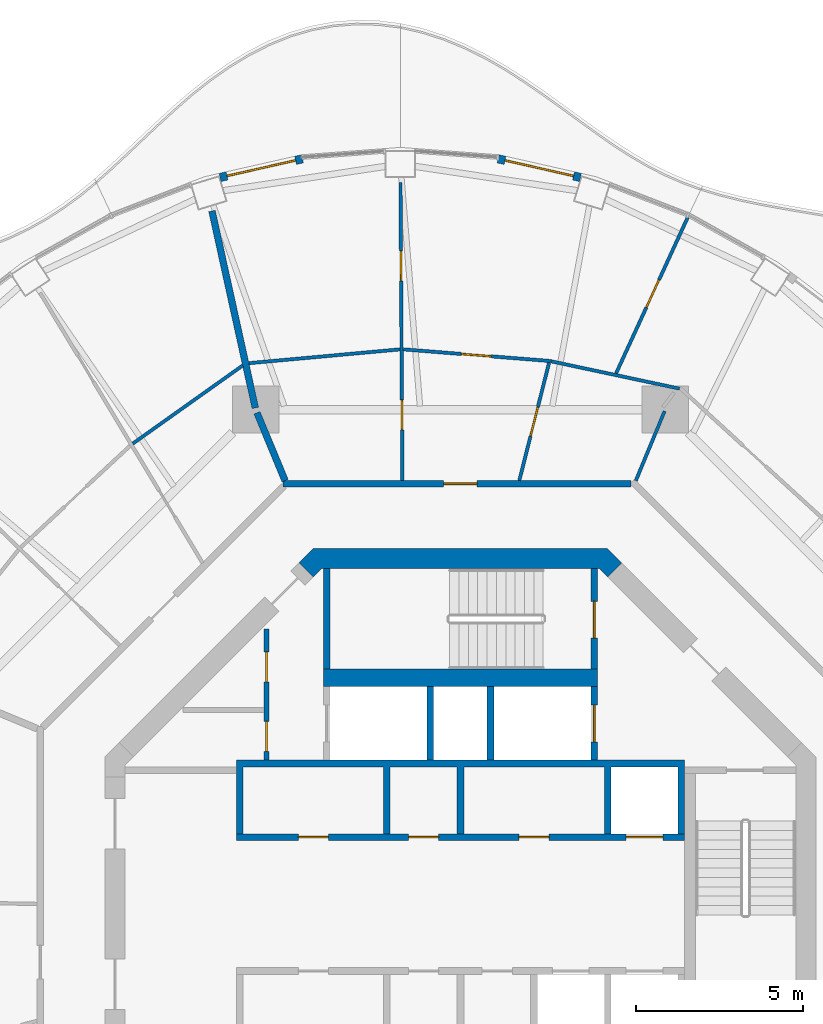
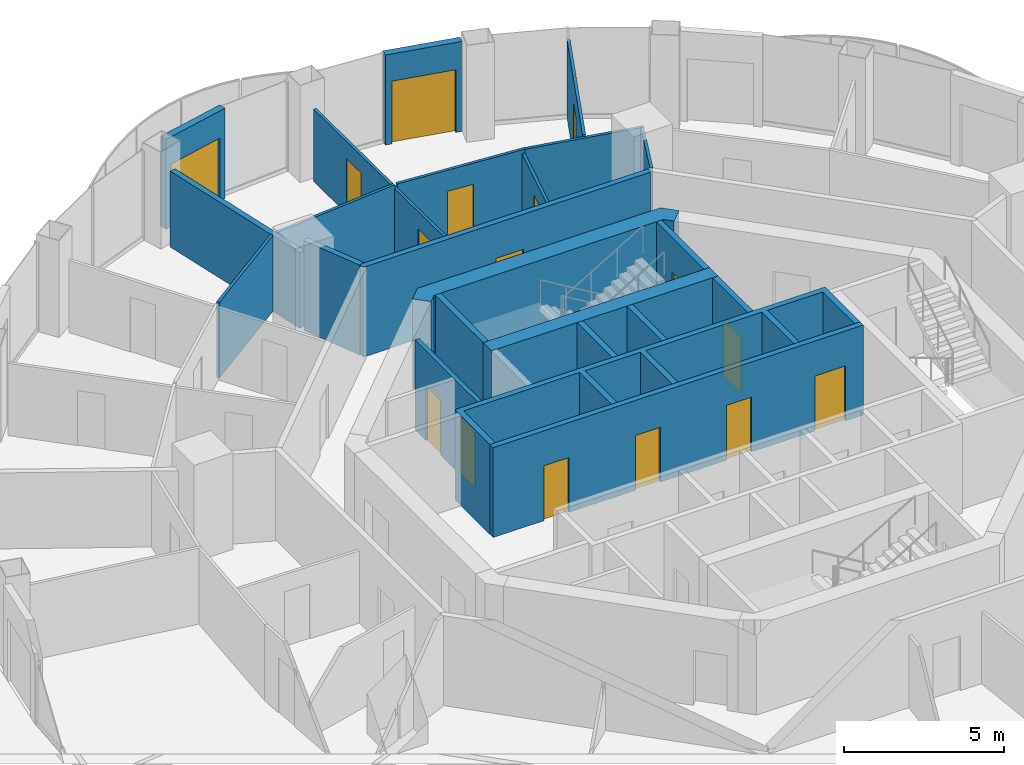
# One storey, part 13 of 17: 23 walls, 16 doors, 16 openings.
"""IFC4 building model written with IfcOpenShell, lengths in metres."""

import ifcopenshell
import ifcopenshell.guid

model = None  # the IFC model being written
_history = None  # IfcOwnerHistory: only IFC2X3 demands one
_inside = {}  # id of a spatial element -> (the spatial element, [elements in it])
_under = {}  # id of a project, library or spatial element -> (it, [spatial elements below it])
_declared = {}  # id of a project -> (the project, [libraries it declares])
_typed = {}  # id of a type object -> (the type object, [elements of that type])
_made_of = {}  # id of a material, layer set ... -> (it, [elements and type objects made of it])


def new_model(schema):
    """Start an empty IFC model of exactly this schema.

    Asked for "IFC4X3", IfcOpenShell would pick the latest addendum, in which some entities
    have other attributes; the version numbers below select the first issue.
    IFC2X3 requires an IfcOwnerHistory on every rooted entity: one is made here for all.
    """
    global model, _history
    if schema == "IFC4X3":
        model = ifcopenshell.file(schema_version=(4, 3, 0, 0))
    else:
        model = ifcopenshell.file(schema=schema)
    _inside.clear()
    _under.clear()
    _declared.clear()
    _typed.clear()
    _made_of.clear()
    _history = None
    if model.schema == "IFC2X3":
        org = make("IfcOrganization", Name="unknown")
        user = make(
            "IfcPersonAndOrganization",
            ThePerson=make("IfcPerson", FamilyName="unknown"),
            TheOrganization=org,
        )
        app = make(
            "IfcApplication",
            ApplicationDeveloper=org,
            Version="unknown",
            ApplicationFullName="unknown",
            ApplicationIdentifier="unknown",
        )
        _history = make(
            "IfcOwnerHistory",
            OwningUser=user,
            OwningApplication=app,
            ChangeAction="ADDED",
            CreationDate=0,
        )
    return model


def make(cls, **values):
    """One entity of the class cls with the attributes given. An attribute that is None is left unset."""
    return model.create_entity(
        cls, **{name: value for name, value in values.items() if value is not None}
    )


def rooted(cls, **values):
    """An entity with a GlobalId (a new one), such as an element, a storey or a relation."""
    return make(cls, GlobalId=ifcopenshell.guid.new(), OwnerHistory=_history, **values)


def si_unit(unit_type, name, prefix=None):
    """IfcSIUnit, for example si_unit("LENGTHUNIT", "METRE", prefix="MILLI")."""
    return make("IfcSIUnit", UnitType=unit_type, Prefix=prefix, Name=name)


def assignment(units):
    """IfcUnitAssignment: the units of a project."""
    return None if units is None else make("IfcUnitAssignment", Units=units)


def point(xyz):
    """IfcCartesianPoint."""
    return None if xyz is None else make("IfcCartesianPoint", Coordinates=xyz)


def direction(xyz):
    """IfcDirection."""
    return None if xyz is None else make("IfcDirection", DirectionRatios=xyz)


def frame(location, z_axis=None, x_axis=None):
    """IfcAxis2Placement3D, a coordinate frame: its origin and axes. An axis left out is left unset."""
    return make(
        "IfcAxis2Placement3D",
        Location=point(location),
        Axis=direction(z_axis),
        RefDirection=direction(x_axis),
    )


def frame_2d(location, x_axis=None):
    """IfcAxis2Placement2D, a coordinate frame in the plane: its origin and x axis."""
    return make(
        "IfcAxis2Placement2D", Location=point(location), RefDirection=direction(x_axis)
    )


def origin():
    """The frame at (0, 0, 0) with its axes left unset."""
    return frame((0.0, 0.0, 0.0))


def place(relative_to, where):
    """IfcLocalPlacement: puts the frame where relative to a parent placement (None: the world)."""
    return make(
        "IfcLocalPlacement", PlacementRelTo=relative_to, RelativePlacement=where
    )


def context(
    kind, dimensions, precision=None, world=None, true_north=None, identifier=None
):
    """IfcGeometricRepresentationContext, for example the 3D "Model" context."""
    return make(
        "IfcGeometricRepresentationContext",
        ContextIdentifier=identifier,
        ContextType=kind,
        CoordinateSpaceDimension=dimensions,
        Precision=precision,
        WorldCoordinateSystem=world,
        TrueNorth=true_north,
    )


def subcontext(parent, identifier, kind, view, scale=None):
    """IfcGeometricRepresentationSubContext, for example "Body" below "Model"."""
    return make(
        "IfcGeometricRepresentationSubContext",
        ContextIdentifier=identifier,
        ContextType=kind,
        ParentContext=parent,
        TargetScale=scale,
        TargetView=view,
    )


def project(units=None, contexts=None):
    """IfcProject with its units and contexts."""
    return rooted(
        "IfcProject",
        Name="project",
        RepresentationContexts=contexts,
        UnitsInContext=assignment(units),
    )


def spatial(cls, under=None, at=None, **own):
    """A site, building, storey or space (cls), placed at a placement, below another one or the project."""
    s = rooted(cls, ObjectPlacement=at, **own)
    if under is not None:
        _under.setdefault(under.id(), (under, []))[1].append(s)
    return s


def polyline(points):
    """IfcPolyline through the points."""
    return make("IfcPolyline", Points=[point(p) for p in points])


def profile(cls, at=None, kind="AREA", **sizes):
    """A parametric profile (cls). Its sizes go by their IFC names, for example OverallWidth=200.0."""
    return make(cls, ProfileType=kind, Position=at, **sizes)


def rectangle(**sizes):
    """IfcRectangleProfileDef."""
    return profile("IfcRectangleProfileDef", **sizes)


def outline(outer, holes=None, kind="AREA"):
    """IfcArbitraryClosedProfileDef: a profile drawn as a closed curve; with holes, ...WithVoids."""
    if holes is None:
        return make("IfcArbitraryClosedProfileDef", ProfileType=kind, OuterCurve=outer)
    return make(
        "IfcArbitraryProfileDefWithVoids",
        ProfileType=kind,
        OuterCurve=outer,
        InnerCurves=holes,
    )


def extrude(swept, where, along, depth):
    """IfcExtrudedAreaSolid: the profile swept, set in the frame where, extruded along a direction by depth."""
    return make(
        "IfcExtrudedAreaSolid",
        SweptArea=swept,
        Position=where,
        ExtrudedDirection=direction(along),
        Depth=depth,
    )


def shape(context_of_items, identifier, shape_type, items):
    """IfcShapeRepresentation: the items that make up one representation, for example the "Body"."""
    return make(
        "IfcShapeRepresentation",
        ContextOfItems=context_of_items,
        RepresentationIdentifier=identifier,
        RepresentationType=shape_type,
        Items=items,
    )


def material(Name=None, Category=None):
    """IfcMaterial."""
    return make("IfcMaterial", Name=Name, Category=Category)


def layer(
    of_material, thickness, ventilated=None, Name=None, Category=None, Priority=None
):
    """IfcMaterialLayer: one layer of a wall or slab, of a material (None: an air gap)."""
    return make(
        "IfcMaterialLayer",
        Material=of_material,
        LayerThickness=thickness,
        IsVentilated=ventilated,
        Name=Name,
        Category=Category,
        Priority=Priority,
    )


def layer_set(layers, Name=None):
    """IfcMaterialLayerSet."""
    return make("IfcMaterialLayerSet", MaterialLayers=layers, LayerSetName=Name)


def made_of(thing, what):
    """Note that an element or type object is made of a material, layer set ...; save() writes the relation."""
    if what is not None:
        _made_of.setdefault(what.id(), (what, []))[1].append(thing)
    return thing


def type_object(cls, material=None, **own):
    """A type object (cls), such as IfcWallType, which elements share."""
    return made_of(rooted(cls, **own), material)


def element(
    cls,
    number,
    at=None,
    inside=None,
    cuts=None,
    type_object=None,
    material=None,
    context=None,
    identifier="Body",
    shape_type=None,
    held_by="IfcProductDefinitionShape",
    body=None,
    shapes=None,
    **own,
):
    """One element of the class cls, such as IfcWall. Its Tag is "e" and its number.

    at: its placement. inside: the storey or other place that contains it. cuts: it is an
    opening in that element (IfcRelVoidsElement). A single representation is given by context,
    identifier, shape_type and body (its items); several are given by shapes. held_by: the class
    of the entity that holds the representations. save() writes the other relations.
    """
    e = rooted(cls, Tag="e%d" % number, ObjectPlacement=at, **own)
    if body is not None:
        shapes = [shape(context, identifier, shape_type, body)]
    if shapes is not None:
        e.Representation = make(held_by, Representations=shapes)
    if inside is not None:
        _inside.setdefault(inside.id(), (inside, []))[1].append(e)
    if cuts is not None:
        rooted(
            "IfcRelVoidsElement", RelatingBuildingElement=cuts, RelatedOpeningElement=e
        )
    if type_object is not None:
        _typed.setdefault(type_object.id(), (type_object, []))[1].append(e)
    return made_of(e, material)


def fill(opening, filler):
    """IfcRelFillsElement: the door or window that sits in an opening."""
    return rooted(
        "IfcRelFillsElement",
        RelatingOpeningElement=opening,
        RelatedBuildingElement=filler,
    )


def aggregate(whole, parts):
    """IfcRelAggregates: a whole, such as a stair, and the parts it consists of."""
    return rooted("IfcRelAggregates", RelatingObject=whole, RelatedObjects=parts)


def save(model, path):
    """Write the relations noted so far, then the file.

    IfcRelAggregates (storeys below a building ...), IfcRelContainedInSpatialStructure (elements
    in a storey), IfcRelDefinesByType, IfcRelAssociatesMaterial and IfcRelDeclares: one each for
    every whole, place, type object, material and project.
    """
    for whole, parts in _under.values():
        aggregate(whole, parts)
    for where, things in _inside.values():
        rooted(
            "IfcRelContainedInSpatialStructure",
            RelatedElements=things,
            RelatingStructure=where,
        )
    for kind, things in _typed.values():
        rooted("IfcRelDefinesByType", RelatedObjects=things, RelatingType=kind)
    for what, things in _made_of.values():
        rooted("IfcRelAssociatesMaterial", RelatedObjects=things, RelatingMaterial=what)
    for by, libraries in _declared.values():
        rooted("IfcRelDeclares", RelatingContext=by, RelatedDefinitions=libraries)
    model.write(path)


model = new_model("IFC4")

# Units and contexts
model_context = context("Model", 3, precision=1e-05, world=origin(), true_north=direction((0.0, 1.0)))
body_context = subcontext(model_context, "Body", "Model", "MODEL_VIEW")
ifc_project = project(units=[si_unit("LENGTHUNIT", "METRE"), si_unit("AREAUNIT", "SQUARE_METRE"), si_unit("VOLUMEUNIT", "CUBIC_METRE"), si_unit("PLANEANGLEUNIT", "RADIAN"), si_unit("MASSUNIT", "GRAM", prefix="KILO")], contexts=[model_context])

# Site, building, storey
site_placement = place(None, origin())
site = spatial("IfcSite", under=ifc_project, at=site_placement, CompositionType="ELEMENT")
building_placement = place(site_placement, origin())
building = spatial("IfcBuilding", under=site, at=building_placement, Name="Nagisa Residences", CompositionType="ELEMENT")
storey_placement = place(building_placement, frame((0.0, 0.0, 277.0)))
storey = spatial("IfcBuildingStorey", under=building, at=storey_placement, Name="L70", CompositionType="ELEMENT", Elevation=277.0)

# Walls
ifc_material_1 = material(Name="Gypsum board on steel studs", Category="steel")
ifc_layer_1 = layer(ifc_material_1, 0.199951171875)
ifc_layer_set_1 = layer_set([ifc_layer_1], Name="Apartment compartment wall EI60 200")
wall_type_1 = type_object("IfcWallType", Name="Apartment compartment wall EI60 200", PredefinedType="PARTITIONING", material=ifc_layer_set_1)
wall_1_placement = place(storey_placement, frame((-5.24267578125, 12.6572265625, 0.0), z_axis=(0.0, 0.0, 1.0), x_axis=(-0.38273085373, 0.923859888513, 0.0)))
element("IfcWall", 1, at=wall_1_placement, inside=storey, type_object=wall_type_1, Name="wall:L70:u02", PredefinedType="PARTITIONING", context=body_context, shape_type="SweptSolid", body=[
    extrude(rectangle(XDim=2.199462890625, YDim=0.199951171875, at=frame_2d((1.099609375, 0.0))), origin(), (0.0, 0.0, 1.0), 3.43994140625),
])
wall_2_placement = place(storey_placement, frame((-6.133544921875, 14.830810546875, 0.0), z_axis=(0.0, 0.0, 1.0), x_axis=(-0.214842475666, 0.976648714047, 0.0)))
element("IfcWall", 2, at=wall_2_placement, inside=storey, type_object=wall_type_1, Name="wall:L70:u03", PredefinedType="PARTITIONING", context=body_context, shape_type="SweptSolid", body=[
    extrude(rectangle(XDim=6.03076171875, YDim=0.199951171875, at=frame_2d((3.015380859375, 0.0))), origin(), (0.0, 0.0, 1.0), 2.905029296875),
])

# Wall, opening, door
ifc_material_2 = material(Name="Gypsum board on steel studs", Category="steel")
ifc_layer_2 = layer(ifc_material_2, 0.199951171875)
ifc_layer_set_2 = layer_set([ifc_layer_2], Name="Apartment entry wall EI60 200")
wall_type_2 = type_object("IfcWallType", Name="Apartment entry wall EI60 200", PredefinedType="PARTITIONING", material=ifc_layer_set_2)
wall_3_placement = place(storey_placement, frame((5.1044921875, 12.564697265625, 0.0), z_axis=(0.0, 0.0, 1.0), x_axis=(-1.0, 0.0, 0.0)))
wall_3 = element("IfcWall", 3, at=wall_3_placement, inside=storey, type_object=wall_type_2, Name="wall:L70:u12", PredefinedType="PARTITIONING", context=body_context, shape_type="SweptSolid", body=[
    extrude(rectangle(XDim=10.408935546875, YDim=0.199951171875, at=frame_2d((5.20458984375, 0.0))), origin(), (0.0, 0.0, 1.0), 3.43994140625),
])
opening_1_placement = place(wall_3_placement, frame((4.6044921875, 0.0, 0.0)))
opening_1 = element("IfcOpeningElement", 4, at=opening_1_placement, cuts=wall_3, Name="Opening L70-U01", PredefinedType="OPENING", context=body_context, shape_type="SweptSolid", body=[
    extrude(rectangle(XDim=1.0, YDim=2.10009765625, at=frame_2d((0.5, 1.050048828125))), frame((0.0, 0.10986328125, 0.0), z_axis=(0.0, -1.0, 0.0), x_axis=(1.0, 0.0, 0.0)), (0.0, 0.0, 1.0), 0.219970703125),
])
ifc_material_3 = material(Name="Timber fire door set", Category="wood")
door_type_1 = type_object("IfcDoorType", Name="Apartment entry door FD30S 1000x2100", OperationType="NOTDEFINED", PredefinedType="DOOR", material=ifc_material_3)
door_1_placement = place(opening_1_placement, frame((1.0, 0.0, 0.0), x_axis=(-1.0, 0.0, 0.0)))
door_1 = element("IfcDoor", 5, at=door_1_placement, inside=storey, type_object=door_type_1, Name="Entry door, Apartment 70A", OperationType="SINGLE_SWING_RIGHT", OverallHeight=2.10009765625, OverallWidth=1.0, PredefinedType="DOOR", context=body_context, shape_type="SweptSolid", body=[
    extrude(rectangle(XDim=1.0, YDim=2.10009765625, at=frame_2d((0.5, 1.050048828125))), frame((0.0, 0.02490234375, 0.0), z_axis=(0.0, -1.0, 0.0), x_axis=(1.0, 0.0, 0.0)), (0.0, 0.0, 1.0), 0.050048828125),
])
fill(opening_1, door_1)

# Walls
ifc_material_4 = material(Name="Gypsum board on steel studs", Category="steel")
ifc_layer_3 = layer(ifc_material_4, 0.10009765625)
ifc_layer_set_3 = layer_set([ifc_layer_3], Name="Apartment partition 100")
wall_type_3 = type_object("IfcWallType", Name="Apartment partition 100", PredefinedType="PARTITIONING", material=ifc_layer_set_3)
wall_4_placement = place(storey_placement, frame((5.24267578125, 12.6572265625, 0.0), z_axis=(0.0, 0.0, 1.0), x_axis=(0.382719158442, 0.923864733477, 0.0)))
element("IfcWall", 6, at=wall_4_placement, inside=storey, type_object=wall_type_3, Name="wall:L70:u27", PredefinedType="PARTITIONING", context=body_context, shape_type="SweptSolid", body=[
    extrude(rectangle(XDim=2.25, YDim=0.10009765625, at=frame_2d((1.125, 0.0))), origin(), (0.0, 0.0, 1.0), 3.43994140625),
])
wall_5_placement = place(storey_placement, frame((6.549560546875, 15.408935546875, 0.0), z_axis=(0.0, 0.0, 1.0), x_axis=(-0.978051195976, 0.208364723621, 0.0)))
element("IfcWall", 7, at=wall_5_placement, inside=storey, type_object=wall_type_3, Name="wall:L70:u28", PredefinedType="PARTITIONING", context=body_context, shape_type="SweptSolid", body=[
    extrude(rectangle(XDim=3.924072265625, YDim=0.10009765625, at=frame_2d((1.9619140625, 0.0))), origin(), (0.0, 0.0, 1.0), 2.905029296875),
])

# Wall, opening, door
wall_6_placement = place(storey_placement, frame((4.6513671875, 15.86328125, 0.0), z_axis=(0.0, 0.0, 1.0), x_axis=(0.41744196735, 0.908703584176, 0.0)))
wall_6 = element("IfcWall", 8, at=wall_6_placement, inside=storey, type_object=wall_type_3, Name="wall:L70:u29", PredefinedType="PARTITIONING", context=body_context, shape_type="SweptSolid", body=[
    extrude(rectangle(XDim=5.241943359375, YDim=0.10009765625, at=frame_2d((2.62109375, 0.0))), origin(), (0.0, 0.0, 1.0), 2.98291015625),
])
opening_2_placement = place(wall_6_placement, frame((2.1708984375, 0.0, 0.0)))
opening_2 = element("IfcOpeningElement", 9, at=opening_2_placement, cuts=wall_6, Name="Opening L70-U06", PredefinedType="OPENING", context=body_context, shape_type="SweptSolid", body=[
    extrude(rectangle(XDim=0.89990234375, YDim=2.10009765625, at=frame_2d((0.449951171875, 1.050048828125))), frame((0.0, 0.06005859375, 0.0), z_axis=(0.0, -1.0, 0.0), x_axis=(1.0, 0.0, 0.0)), (0.0, 0.0, 1.0), 0.1201171875),
])
ifc_material_5 = material(Name="Timber door set", Category="wood")
door_type_2 = type_object("IfcDoorType", Name="Apartment door 900x2100", OperationType="NOTDEFINED", PredefinedType="DOOR", material=ifc_material_5)
door_2_placement = place(opening_2_placement, frame((0.89990234375, 0.0, 0.0), x_axis=(-1.0, 0.0, 0.0)))
door_2 = element("IfcDoor", 10, at=door_2_placement, inside=storey, type_object=door_type_2, Name="Door to tatami room, Apartment 70A", OperationType="SINGLE_SWING_LEFT", OverallHeight=2.10009765625, OverallWidth=0.89990234375, PredefinedType="DOOR", context=body_context, shape_type="SweptSolid", body=[
    extrude(rectangle(XDim=0.89990234375, YDim=2.10009765625, at=frame_2d((0.449951171875, 1.050048828125))), frame((0.0, 0.02490234375, 0.0), z_axis=(0.0, -1.0, 0.0), x_axis=(1.0, 0.0, 0.0)), (0.0, 0.0, 1.0), 0.050048828125),
])
fill(opening_2, door_2)

wall_7_placement = place(storey_placement, frame((1.75927734375, 12.66162109375, 0.0), z_axis=(0.0, 0.0, 1.0), x_axis=(0.244966765147, 0.969531476525, 0.0)))
wall_7 = element("IfcWall", 11, at=wall_7_placement, inside=storey, type_object=wall_type_3, Name="wall:L70:u30", PredefinedType="PARTITIONING", context=body_context, shape_type="SweptSolid", body=[
    extrude(rectangle(XDim=3.6376953125, YDim=0.10009765625, at=frame_2d((1.81884765625, 0.0))), origin(), (0.0, 0.0, 1.0), 2.761962890625),
])
opening_3_placement = place(wall_7_placement, frame((1.368896484375, 0.0, 0.0)))
opening_3 = element("IfcOpeningElement", 12, at=opening_3_placement, cuts=wall_7, Name="Opening L70-U02", PredefinedType="OPENING", context=body_context, shape_type="SweptSolid", body=[
    extrude(rectangle(XDim=0.89990234375, YDim=2.10009765625, at=frame_2d((0.449951171875, 1.050048828125))), frame((0.0, 0.06005859375, 0.0), z_axis=(0.0, -1.0, 0.0), x_axis=(1.0, 0.0, 0.0)), (0.0, 0.0, 1.0), 0.1201171875),
])
door_3_placement = place(opening_3_placement, frame((0.89990234375, 0.0, 0.0), x_axis=(-1.0, 0.0, 0.0)))
door_3 = element("IfcDoor", 13, at=door_3_placement, inside=storey, type_object=door_type_2, Name="Door to family bathroom, Apartment 70A", OperationType="SINGLE_SWING_LEFT", OverallHeight=2.10009765625, OverallWidth=0.89990234375, PredefinedType="DOOR", context=body_context, shape_type="SweptSolid", body=[
    extrude(rectangle(XDim=0.89990234375, YDim=2.10009765625, at=frame_2d((0.449951171875, 1.050048828125))), frame((0.0, 0.02490234375, 0.0), z_axis=(0.0, -1.0, 0.0), x_axis=(1.0, 0.0, 0.0)), (0.0, 0.0, 1.0), 0.050048828125),
])
fill(opening_3, door_3)

wall_8_placement = place(storey_placement, frame((2.712646484375, 16.23291015625, 0.0), z_axis=(0.0, 0.0, 1.0), x_axis=(-0.996870142942, 0.079056423588, 0.0)))
wall_8 = element("IfcWall", 14, at=wall_8_placement, inside=storey, type_object=wall_type_3, Name="wall:L70:u31", PredefinedType="PARTITIONING", context=body_context, shape_type="SweptSolid", body=[
    extrude(rectangle(XDim=4.437744140625, YDim=0.10009765625, at=frame_2d((2.21875, 0.0))), origin(), (0.0, 0.0, 1.0), 2.905029296875),
])
opening_4_placement = place(wall_8_placement, frame((1.793701171875, 0.0, 0.0)))
opening_4 = element("IfcOpeningElement", 15, at=opening_4_placement, cuts=wall_8, Name="Opening L70-U04", PredefinedType="OPENING", context=body_context, shape_type="SweptSolid", body=[
    extrude(rectangle(XDim=0.89990234375, YDim=2.10009765625, at=frame_2d((0.449951171875, 1.050048828125))), frame((0.0, 0.06005859375, 0.0), z_axis=(0.0, -1.0, 0.0), x_axis=(1.0, 0.0, 0.0)), (0.0, 0.0, 1.0), 0.1201171875),
])
door_4_placement = place(opening_4_placement, frame((0.89990234375, 0.0, 0.0), x_axis=(-1.0, 0.0, 0.0)))
door_4 = element("IfcDoor", 16, at=door_4_placement, inside=storey, type_object=door_type_2, Name="Door to kitchen, Apartment 70A", OperationType="SINGLE_SWING_LEFT", OverallHeight=2.10009765625, OverallWidth=0.89990234375, PredefinedType="DOOR", context=body_context, shape_type="SweptSolid", body=[
    extrude(rectangle(XDim=0.89990234375, YDim=2.10009765625, at=frame_2d((0.449951171875, 1.050048828125))), frame((0.0, 0.02490234375, 0.0), z_axis=(0.0, -1.0, 0.0), x_axis=(1.0, 0.0, 0.0)), (0.0, 0.0, 1.0), 0.050048828125),
])
fill(opening_4, door_4)

# Wall, openings, doors
wall_9_placement = place(storey_placement, frame((-1.735595703125, 12.664794921875, 0.0), z_axis=(0.0, 0.0, 1.0), x_axis=(-0.00646827636, 0.999979080482, 0.0)))
wall_9 = element("IfcWall", 17, at=wall_9_placement, inside=storey, type_object=wall_type_3, Name="wall:L70:u32", PredefinedType="PARTITIONING", context=body_context, shape_type="SweptSolid", body=[
    extrude(rectangle(XDim=8.90771484375, YDim=0.10009765625, at=frame_2d((4.453857421875, 0.0))), origin(), (0.0, 0.0, 1.0), 2.761962890625),
])
opening_5_placement = place(wall_9_placement, frame((1.51171875, 0.0, 0.0)))
opening_5 = element("IfcOpeningElement", 18, at=opening_5_placement, cuts=wall_9, Name="Opening L70-U03", PredefinedType="OPENING", context=body_context, shape_type="SweptSolid", body=[
    extrude(rectangle(XDim=0.89990234375, YDim=2.10009765625, at=frame_2d((0.449951171875, 1.050048828125))), frame((0.0, 0.06005859375, 0.0), z_axis=(0.0, -1.0, 0.0), x_axis=(1.0, 0.0, 0.0)), (0.0, 0.0, 1.0), 0.1201171875),
])
opening_6_placement = place(wall_9_placement, frame((5.96533203125, 0.0, 0.0)))
opening_6 = element("IfcOpeningElement", 19, at=opening_6_placement, cuts=wall_9, Name="Opening L70-U05", PredefinedType="OPENING", context=body_context, shape_type="SweptSolid", body=[
    extrude(rectangle(XDim=0.89990234375, YDim=2.10009765625, at=frame_2d((0.449951171875, 1.050048828125))), frame((0.0, 0.06005859375, 0.0), z_axis=(0.0, -1.0, 0.0), x_axis=(1.0, 0.0, 0.0)), (0.0, 0.0, 1.0), 0.1201171875),
])
door_5_placement = place(opening_5_placement, origin())
door_5 = element("IfcDoor", 20, at=door_5_placement, inside=storey, type_object=door_type_2, Name="Door to family bathroom, Apartment 70A", OperationType="SINGLE_SWING_LEFT", OverallHeight=2.10009765625, OverallWidth=0.89990234375, PredefinedType="DOOR", context=body_context, shape_type="SweptSolid", body=[
    extrude(rectangle(XDim=0.89990234375, YDim=2.10009765625, at=frame_2d((0.449951171875, 1.050048828125))), frame((0.0, 0.02490234375, 0.0), z_axis=(0.0, -1.0, 0.0), x_axis=(1.0, 0.0, 0.0)), (0.0, 0.0, 1.0), 0.050048828125),
])
fill(opening_5, door_5)
door_6_placement = place(opening_6_placement, origin())
door_6 = element("IfcDoor", 21, at=door_6_placement, inside=storey, type_object=door_type_2, Name="Door to master bedroom, Apartment 70A", OperationType="SINGLE_SWING_LEFT", OverallHeight=2.10009765625, OverallWidth=0.89990234375, PredefinedType="DOOR", context=body_context, shape_type="SweptSolid", body=[
    extrude(rectangle(XDim=0.89990234375, YDim=2.10009765625, at=frame_2d((0.449951171875, 1.050048828125))), frame((0.0, 0.02490234375, 0.0), z_axis=(0.0, -1.0, 0.0), x_axis=(1.0, 0.0, 0.0)), (0.0, 0.0, 1.0), 0.050048828125),
])
fill(opening_6, door_6)

# Walls
wall_10_placement = place(storey_placement, frame((-1.810791015625, 16.583251953125, 0.0), z_axis=(0.0, 0.0, 1.0), x_axis=(-0.995842301034, -0.091093970555, 0.0)))
element("IfcWall", 22, at=wall_10_placement, inside=storey, type_object=wall_type_3, Name="wall:L70:u33", PredefinedType="PARTITIONING", context=body_context, shape_type="SweptSolid", body=[
    extrude(rectangle(XDim=4.53466796875, YDim=0.10009765625, at=frame_2d((2.267333984375, 0.0))), origin(), (0.0, 0.0, 1.0), 2.905029296875),
])
wall_11_placement = place(storey_placement, frame((-6.5078125, 16.10302734375, 0.0), z_axis=(0.0, 0.0, 1.0), x_axis=(-0.815202203556, -0.579176456114, 0.0)))
element("IfcWall", 23, at=wall_11_placement, inside=storey, type_object=wall_type_3, Name="wall:L70:u34", PredefinedType="PARTITIONING", context=body_context, shape_type="SweptSolid", body=[
    extrude(rectangle(XDim=4.0361328125, YDim=0.10009765625, at=frame_2d((2.01806640625, 0.0))), origin(), (0.0, 0.0, 1.0), 2.905029296875),
])

# Wall, opening, door
ifc_material_6 = material(Name="Precast concrete C40/50", Category="concrete")
ifc_layer_4 = layer(ifc_material_6, 0.25)
ifc_layer_set_4 = layer_set([ifc_layer_4], Name="BALCONY DOOR WALL 250")
wall_type_4 = type_object("IfcWallType", Name="BALCONY DOOR WALL 250", PredefinedType="SOLIDWALL", material=ifc_layer_set_4)
wall_12_placement = place(storey_placement, frame((1.125, 22.2802734375, 0.0), z_axis=(0.0, 0.0, 1.0), x_axis=(0.97531487046, -0.22081871175, 0.0)))
wall_12 = element("IfcWall", 24, at=wall_12_placement, inside=storey, type_object=wall_type_4, Name="wall:L70:bay10", PredefinedType="SOLIDWALL", context=body_context, shape_type="SweptSolid", body=[
    extrude(rectangle(XDim=2.525146484375, YDim=0.25, at=frame_2d((1.2626953125, 0.0))), origin(), (0.0, 0.0, 1.0), 3.43994140625),
])
opening_7_placement = place(wall_12_placement, frame((0.212646484375, 0.0, 0.0)))
opening_7 = element("IfcOpeningElement", 25, at=opening_7_placement, cuts=wall_12, Name="Opening BD-L70-04", PredefinedType="OPENING", context=body_context, shape_type="SweptSolid", body=[
    extrude(rectangle(XDim=2.10009765625, YDim=2.39990234375, at=frame_2d((1.050048828125, 1.199951171875))), frame((0.0, 0.135009765625, 0.0), z_axis=(0.0, -1.0, 0.0), x_axis=(1.0, 0.0, 0.0)), (0.0, 0.0, 1.0), 0.27001953125),
])
ifc_material_7 = material(Name="Aluminium and clear glass", Category="aluminium")
door_type_3 = type_object("IfcDoorType", Name="BALCONY SLIDING DOOR 2100x2400", OperationType="SLIDING_TO_LEFT", PredefinedType="DOOR", material=ifc_material_7)
door_7_placement = place(opening_7_placement, origin())
door_7 = element("IfcDoor", 26, at=door_7_placement, inside=storey, type_object=door_type_3, Name="door:L70:bay10", OperationType="SLIDING_TO_LEFT", OverallHeight=2.39990234375, OverallWidth=2.10009765625, PredefinedType="DOOR", context=body_context, shape_type="SweptSolid", body=[
    extrude(rectangle(XDim=2.10009765625, YDim=2.39990234375, at=frame_2d((1.050048828125, 1.199951171875))), frame((0.0, 0.02490234375, 0.0), z_axis=(0.0, -1.0, 0.0), x_axis=(1.0, 0.0, 0.0)), (0.0, 0.0, 1.0), 0.050048828125),
])
fill(opening_7, door_7)

wall_13_placement = place(storey_placement, frame((-7.18798828125, 21.72265625, 0.0), z_axis=(0.0, 0.0, 1.0), x_axis=(0.975319584032, 0.220797891756, 0.0)))
wall_13 = element("IfcWall", 27, at=wall_13_placement, inside=storey, type_object=wall_type_4, Name="wall:L70:bay13", PredefinedType="SOLIDWALL", context=body_context, shape_type="SweptSolid", body=[
    extrude(rectangle(XDim=2.525390625, YDim=0.25, at=frame_2d((1.2626953125, 0.0))), origin(), (0.0, 0.0, 1.0), 3.43994140625),
])
opening_8_placement = place(wall_13_placement, frame((0.212646484375, 0.0, 0.0)))
opening_8 = element("IfcOpeningElement", 28, at=opening_8_placement, cuts=wall_13, Name="Opening BD-L70-05", PredefinedType="OPENING", context=body_context, shape_type="SweptSolid", body=[
    extrude(rectangle(XDim=2.10009765625, YDim=2.39990234375, at=frame_2d((1.050048828125, 1.199951171875))), frame((0.0, 0.135009765625, 0.0), z_axis=(0.0, -1.0, 0.0), x_axis=(1.0, 0.0, 0.0)), (0.0, 0.0, 1.0), 0.27001953125),
])
door_8_placement = place(opening_8_placement, origin())
door_8 = element("IfcDoor", 29, at=door_8_placement, inside=storey, type_object=door_type_3, Name="door:L70:bay13", OperationType="SLIDING_TO_LEFT", OverallHeight=2.39990234375, OverallWidth=2.10009765625, PredefinedType="DOOR", context=body_context, shape_type="SweptSolid", body=[
    extrude(rectangle(XDim=2.10009765625, YDim=2.39990234375, at=frame_2d((1.050048828125, 1.199951171875))), frame((0.0, 0.02490234375, 0.0), z_axis=(0.0, -1.0, 0.0), x_axis=(1.0, 0.0, 0.0)), (0.0, 0.0, 1.0), 0.050048828125),
])
fill(opening_8, door_8)

# Wall, openings, doors
ifc_material_8 = material(Name="Gypsum board on steel studs", Category="steel")
ifc_layer_5 = layer(ifc_material_8, 0.14990234375)
ifc_layer_set_5 = layer_set([ifc_layer_5], Name="Core partition 150")
wall_type_5 = type_object("IfcWallType", Name="Core partition 150", PredefinedType="PARTITIONING", material=ifc_layer_set_5)
wall_14_placement = place(storey_placement, frame((-5.800048828125, 4.300048828125, 0.0), z_axis=(0.0, 0.0, 1.0), x_axis=(0.0, 1.0, 0.0)))
wall_14 = element("IfcWall", 30, at=wall_14_placement, inside=storey, type_object=wall_type_5, Name="wall:L70:NWp", PredefinedType="PARTITIONING", context=body_context, shape_type="SweptSolid", body=[
    extrude(rectangle(XDim=3.927001953125, YDim=0.14990234375, at=frame_2d((1.96337890625, 0.0))), origin(), (0.0, 0.0, 1.0), 3.43994140625),
])
opening_9_placement = place(wall_14_placement, frame((0.262451171875, 0.0, 0.0)))
opening_9 = element("IfcOpeningElement", 31, at=opening_9_placement, cuts=wall_14, Name="Opening L70-C10", PredefinedType="OPENING", context=body_context, shape_type="SweptSolid", body=[
    extrude(rectangle(XDim=0.89990234375, YDim=2.10009765625, at=frame_2d((0.449951171875, 1.050048828125))), frame((0.0, 0.0849609375, 0.0), z_axis=(0.0, -1.0, 0.0), x_axis=(1.0, 0.0, 0.0)), (0.0, 0.0, 1.0), 0.169921875),
])
opening_10_placement = place(wall_14_placement, frame((2.33837890625, 0.0, 0.0)))
opening_10 = element("IfcOpeningElement", 32, at=opening_10_placement, cuts=wall_14, Name="Opening L70-C11", PredefinedType="OPENING", context=body_context, shape_type="SweptSolid", body=[
    extrude(rectangle(XDim=0.89990234375, YDim=2.10009765625, at=frame_2d((0.449951171875, 1.050048828125))), frame((0.0, 0.0849609375, 0.0), z_axis=(0.0, -1.0, 0.0), x_axis=(1.0, 0.0, 0.0)), (0.0, 0.0, 1.0), 0.169921875),
])
ifc_material_9 = material(Name="Steel fire door", Category="steel")
door_type_4 = type_object("IfcDoorType", Name="Fire door EI30 900x2100 single swing", OperationType="NOTDEFINED", PredefinedType="DOOR", material=ifc_material_9)
door_9_placement = place(opening_9_placement, origin())
door_9 = element("IfcDoor", 33, at=door_9_placement, inside=storey, type_object=door_type_4, Name="Package room door L70", OperationType="SINGLE_SWING_RIGHT", OverallHeight=2.10009765625, OverallWidth=0.89990234375, PredefinedType="DOOR", context=body_context, shape_type="SweptSolid", body=[
    extrude(rectangle(XDim=0.89990234375, YDim=2.10009765625, at=frame_2d((0.449951171875, 1.050048828125))), frame((0.0, 0.02490234375, 0.0), z_axis=(0.0, -1.0, 0.0), x_axis=(1.0, 0.0, 0.0)), (0.0, 0.0, 1.0), 0.050048828125),
])
fill(opening_9, door_9)
door_10_placement = place(opening_10_placement, origin())
door_10 = element("IfcDoor", 34, at=door_10_placement, inside=storey, type_object=door_type_4, Name="Valet store door L70", OperationType="SINGLE_SWING_RIGHT", OverallHeight=2.10009765625, OverallWidth=0.89990234375, PredefinedType="DOOR", context=body_context, shape_type="SweptSolid", body=[
    extrude(rectangle(XDim=0.89990234375, YDim=2.10009765625, at=frame_2d((0.449951171875, 1.050048828125))), frame((0.0, 0.02490234375, 0.0), z_axis=(0.0, -1.0, 0.0), x_axis=(1.0, 0.0, 0.0)), (0.0, 0.0, 1.0), 0.050048828125),
])
fill(opening_10, door_10)

# Wall
ifc_material_10 = material(Name="Concrete C60", Category="concrete")
ifc_layer_6 = layer(ifc_material_10, 0.60009765625)
ifc_layer_set_6 = layer_set([ifc_layer_6], Name="Core shear wall 600")
wall_type_6 = type_object("IfcWallType", Name="Core shear wall 600", PredefinedType="SHEAR", material=ifc_layer_set_6)
wall_15_placement = place(storey_placement, origin())
element("IfcWall", 35, at=wall_15_placement, inside=storey, type_object=wall_type_6, Name="wall:L70:core:flat2", PredefinedType="SHEAR", context=body_context, shape_type="SweptSolid", body=[
    extrude(outline(polyline([(-4.15234375, 10.024658203125), (-4.40087890625, 9.776123046875), (-4.8251953125, 10.200439453125), (-4.40087890625, 10.62451171875), (4.40087890625, 10.62451171875), (4.8251953125, 10.200439453125), (4.40087890625, 9.776123046875), (4.15234375, 10.024658203125), (-4.15234375, 10.024658203125)])), origin(), (0.0, 0.0, 1.0), 3.43994140625),
])

# Wall, opening, door
ifc_material_11 = material(Name="Concrete C60", Category="concrete")
ifc_layer_7 = layer(ifc_material_11, 0.199951171875)
ifc_layer_set_7 = layer_set([ifc_layer_7], Name="Lift shaft wall 200")
wall_type_7 = type_object("IfcWallType", Name="Lift shaft wall 200", PredefinedType="SOLIDWALL", material=ifc_layer_set_7)
wall_16_placement = place(storey_placement, frame((4.0, 4.300048828125, 0.0), z_axis=(0.0, 0.0, 1.0), x_axis=(0.0, 1.0, 0.0)))
wall_16 = element("IfcWall", 36, at=wall_16_placement, inside=storey, type_object=wall_type_7, Name="wall:L70:Nb3", PredefinedType="SOLIDWALL", context=body_context, shape_type="SweptSolid", body=[
    extrude(rectangle(XDim=2.199951171875, YDim=0.199951171875, at=frame_2d((1.10009765625, 0.0))), origin(), (0.0, 0.0, 1.0), 3.43994140625),
])
opening_11_placement = place(wall_16_placement, frame((0.550048828125, 0.0, 0.0)))
opening_11 = element("IfcOpeningElement", 37, at=opening_11_placement, cuts=wall_16, Name="Opening L70-C04", PredefinedType="OPENING", context=body_context, shape_type="SweptSolid", body=[
    extrude(rectangle(XDim=1.10009765625, YDim=2.10009765625, at=frame_2d((0.550048828125, 1.050048828125))), frame((0.0, 0.10986328125, 0.0), z_axis=(0.0, -1.0, 0.0), x_axis=(1.0, 0.0, 0.0)), (0.0, 0.0, 1.0), 0.219970703125),
])
ifc_material_12 = material(Name="Stainless steel", Category="steel")
door_type_5 = type_object("IfcDoorType", Name="Lift landing door 1100x2100", OperationType="DOUBLE_DOOR_SLIDING", PredefinedType="DOOR", material=ifc_material_12)
door_11_placement = place(opening_11_placement, origin())
door_11 = element("IfcDoor", 38, at=door_11_placement, inside=storey, type_object=door_type_5, Name="Landing door FL1 L70", OperationType="DOUBLE_DOOR_SLIDING", OverallHeight=2.10009765625, OverallWidth=1.10009765625, PredefinedType="DOOR", context=body_context, shape_type="SweptSolid", body=[
    extrude(rectangle(XDim=1.10009765625, YDim=2.10009765625, at=frame_2d((0.550048828125, 1.050048828125))), frame((0.0, 0.02490234375, 0.0), z_axis=(0.0, -1.0, 0.0), x_axis=(1.0, 0.0, 0.0)), (0.0, 0.0, 1.0), 0.050048828125),
])
fill(opening_11, door_11)

# Wall, openings, doors
wall_17_placement = place(storey_placement, frame((-6.699951171875, 2.0, 0.0), z_axis=(0.0, 0.0, 1.0), x_axis=(1.0, 0.0, 0.0)))
wall_17 = element("IfcWall", 39, at=wall_17_placement, inside=storey, type_object=wall_type_7, Name="wall:L70:Nfront", PredefinedType="SOLIDWALL", context=body_context, shape_type="SweptSolid", body=[
    extrude(rectangle(XDim=13.39990234375, YDim=0.199951171875, at=frame_2d((6.699951171875, 0.0))), origin(), (0.0, 0.0, 1.0), 3.43994140625),
])
opening_12_placement = place(wall_17_placement, frame((11.64990234375, 0.0, 0.0)))
opening_12 = element("IfcOpeningElement", 40, at=opening_12_placement, cuts=wall_17, Name="Opening L70-C01", PredefinedType="OPENING", context=body_context, shape_type="SweptSolid", body=[
    extrude(rectangle(XDim=1.10009765625, YDim=2.10009765625, at=frame_2d((0.550048828125, 1.050048828125))), frame((0.0, 0.10986328125, 0.0), z_axis=(0.0, -1.0, 0.0), x_axis=(1.0, 0.0, 0.0)), (0.0, 0.0, 1.0), 0.219970703125),
])
opening_13_placement = place(wall_17_placement, frame((1.85009765625, 0.0, 0.0)))
opening_13 = element("IfcOpeningElement", 41, at=opening_13_placement, cuts=wall_17, Name="Opening L70-C15", PredefinedType="OPENING", context=body_context, shape_type="SweptSolid", body=[
    extrude(rectangle(XDim=0.89990234375, YDim=2.10009765625, at=frame_2d((0.449951171875, 1.050048828125))), frame((0.0, 0.10986328125, 0.0), z_axis=(0.0, -1.0, 0.0), x_axis=(1.0, 0.0, 0.0)), (0.0, 0.0, 1.0), 0.219970703125),
])
opening_14_placement = place(wall_17_placement, frame((5.14990234375, 0.0, 0.0)))
opening_14 = element("IfcOpeningElement", 42, at=opening_14_placement, cuts=wall_17, Name="Opening L70-C16", PredefinedType="OPENING", context=body_context, shape_type="SweptSolid", body=[
    extrude(rectangle(XDim=0.89990234375, YDim=2.10009765625, at=frame_2d((0.449951171875, 1.050048828125))), frame((0.0, 0.10986328125, 0.0), z_axis=(0.0, -1.0, 0.0), x_axis=(1.0, 0.0, 0.0)), (0.0, 0.0, 1.0), 0.219970703125),
])
opening_15_placement = place(wall_17_placement, frame((8.449951171875, 0.0, 0.0)))
opening_15 = element("IfcOpeningElement", 43, at=opening_15_placement, cuts=wall_17, Name="Opening L70-C17", PredefinedType="OPENING", context=body_context, shape_type="SweptSolid", body=[
    extrude(rectangle(XDim=0.89990234375, YDim=2.10009765625, at=frame_2d((0.449951171875, 1.050048828125))), frame((0.0, 0.10986328125, 0.0), z_axis=(0.0, -1.0, 0.0), x_axis=(1.0, 0.0, 0.0)), (0.0, 0.0, 1.0), 0.219970703125),
])
door_12_placement = place(opening_13_placement, origin())
door_12 = element("IfcDoor", 44, at=door_12_placement, inside=storey, type_object=door_type_4, Name="Linen store door L70", OperationType="SINGLE_SWING_LEFT", OverallHeight=2.10009765625, OverallWidth=0.89990234375, PredefinedType="DOOR", context=body_context, shape_type="SweptSolid", body=[
    extrude(rectangle(XDim=0.89990234375, YDim=2.10009765625, at=frame_2d((0.449951171875, 1.050048828125))), frame((0.0, 0.02490234375, 0.0), z_axis=(0.0, -1.0, 0.0), x_axis=(1.0, 0.0, 0.0)), (0.0, 0.0, 1.0), 0.050048828125),
])
fill(opening_13, door_12)
door_13_placement = place(opening_14_placement, origin())
door_13 = element("IfcDoor", 45, at=door_13_placement, inside=storey, type_object=door_type_4, Name="Tea preparation door L70", OperationType="SINGLE_SWING_LEFT", OverallHeight=2.10009765625, OverallWidth=0.89990234375, PredefinedType="DOOR", context=body_context, shape_type="SweptSolid", body=[
    extrude(rectangle(XDim=0.89990234375, YDim=2.10009765625, at=frame_2d((0.449951171875, 1.050048828125))), frame((0.0, 0.02490234375, 0.0), z_axis=(0.0, -1.0, 0.0), x_axis=(1.0, 0.0, 0.0)), (0.0, 0.0, 1.0), 0.050048828125),
])
fill(opening_14, door_13)
door_14_placement = place(opening_15_placement, origin())
door_14 = element("IfcDoor", 46, at=door_14_placement, inside=storey, type_object=door_type_4, Name="Housekeeping store door L70", OperationType="SINGLE_SWING_LEFT", OverallHeight=2.10009765625, OverallWidth=0.89990234375, PredefinedType="DOOR", context=body_context, shape_type="SweptSolid", body=[
    extrude(rectangle(XDim=0.89990234375, YDim=2.10009765625, at=frame_2d((0.449951171875, 1.050048828125))), frame((0.0, 0.02490234375, 0.0), z_axis=(0.0, -1.0, 0.0), x_axis=(1.0, 0.0, 0.0)), (0.0, 0.0, 1.0), 0.050048828125),
])
fill(opening_15, door_14)
door_15_placement = place(opening_12_placement, origin())
door_15 = element("IfcDoor", 47, at=door_15_placement, inside=storey, type_object=door_type_5, Name="Landing door C1 L70", OperationType="DOUBLE_DOOR_SLIDING", OverallHeight=2.10009765625, OverallWidth=1.10009765625, PredefinedType="DOOR", context=body_context, shape_type="SweptSolid", body=[
    extrude(rectangle(XDim=1.10009765625, YDim=2.10009765625, at=frame_2d((0.550048828125, 1.050048828125))), frame((0.0, 0.02490234375, 0.0), z_axis=(0.0, -1.0, 0.0), x_axis=(1.0, 0.0, 0.0)), (0.0, 0.0, 1.0), 0.050048828125),
])
fill(opening_12, door_15)

# Walls
for number, where, z_axis, x_axis, name in (
    (48, (-0.89990234375, 4.300048828125, 0.0), (0.0, 0.0, 1.0), (0.0, 1.0, 0.0), "wall:L70:Nb1"),
    (49, (0.89990234375, 4.300048828125, 0.0), (0.0, 0.0, 1.0), (0.0, 1.0, 0.0), "wall:L70:Nb2"),
):
    element("IfcWall", number, at=place(storey_placement, frame(where, z_axis=z_axis, x_axis=x_axis)), inside=storey, type_object=wall_type_7, Name=name, PredefinedType="SOLIDWALL", context=body_context, shape_type="SweptSolid", body=[
        extrude(rectangle(XDim=2.199951171875, YDim=0.199951171875, at=frame_2d((1.10009765625, 0.0))), origin(), (0.0, 0.0, 1.0), 3.43994140625),
    ])
wall_18_placement = place(storey_placement, origin())
element("IfcWall", 50, at=wall_18_placement, inside=storey, type_object=wall_type_7, Name="wall:L70:Nback", PredefinedType="SOLIDWALL", context=body_context, shape_type="SweptSolid", body=[
    extrude(outline(polyline([(-6.699951171875, 4.300048828125), (6.699951171875, 4.300048828125), (6.699951171875, 2.10009765625), (6.5, 2.10009765625), (6.5, 4.10009765625), (4.5, 4.10009765625), (4.5, 2.10009765625), (4.300048828125, 2.10009765625), (4.300048828125, 4.10009765625), (0.10009765625, 4.10009765625), (0.10009765625, 2.10009765625), (-0.10009765625, 2.10009765625), (-0.10009765625, 4.10009765625), (-2.10009765625, 4.10009765625), (-2.10009765625, 2.10009765625), (-2.300048828125, 2.10009765625), (-2.300048828125, 4.10009765625), (-6.5, 4.10009765625), (-6.5, 2.10009765625), (-6.699951171875, 2.10009765625), (-6.699951171875, 4.300048828125)])), origin(), (0.0, 0.0, 1.0), 3.43994140625),
])

# Wall, opening, door
ifc_material_13 = material(Name="Concrete C60", Category="concrete")
ifc_layer_8 = layer(ifc_material_13, 0.199951171875)
ifc_layer_set_8 = layer_set([ifc_layer_8], Name="Stair enclosure wall 200")
wall_type_8 = type_object("IfcWallType", Name="Stair enclosure wall 200", PredefinedType="SOLIDWALL", material=ifc_layer_set_8)
wall_19_placement = place(storey_placement, frame((4.0, 7.024658203125, 0.0), z_axis=(0.0, 0.0, 1.0), x_axis=(0.0, 1.0, 0.0)))
wall_19 = element("IfcWall", 51, at=wall_19_placement, inside=storey, type_object=wall_type_8, Name="wall:L70:SN_e", PredefinedType="SOLIDWALL", context=body_context, shape_type="SweptSolid", body=[
    extrude(rectangle(XDim=3.0, YDim=0.199951171875, at=frame_2d((1.5, 0.0))), origin(), (0.0, 0.0, 1.0), 3.43994140625),
])
opening_16_placement = place(wall_19_placement, frame((0.92529296875, 0.0, 0.0)))
opening_16 = element("IfcOpeningElement", 52, at=opening_16_placement, cuts=wall_19, Name="Opening L70-C08", PredefinedType="OPENING", context=body_context, shape_type="SweptSolid", body=[
    extrude(rectangle(XDim=1.10009765625, YDim=2.10009765625, at=frame_2d((0.550048828125, 1.050048828125))), frame((0.0, 0.10986328125, 0.0), z_axis=(0.0, -1.0, 0.0), x_axis=(1.0, 0.0, 0.0)), (0.0, 0.0, 1.0), 0.219970703125),
])
ifc_material_14 = material(Name="Steel fire door", Category="steel")
door_type_6 = type_object("IfcDoorType", Name="Fire door EI90 1100x2100 single swing", OperationType="NOTDEFINED", PredefinedType="DOOR", material=ifc_material_14)
door_16_placement = place(opening_16_placement, origin())
door_16 = element("IfcDoor", 53, at=door_16_placement, inside=storey, type_object=door_type_6, Name="Stair door ST-N L70", OperationType="SINGLE_SWING_LEFT", OverallHeight=2.10009765625, OverallWidth=1.10009765625, PredefinedType="DOOR", context=body_context, shape_type="SweptSolid", body=[
    extrude(rectangle(XDim=1.10009765625, YDim=2.10009765625, at=frame_2d((0.550048828125, 1.050048828125))), frame((0.0, 0.02490234375, 0.0), z_axis=(0.0, -1.0, 0.0), x_axis=(1.0, 0.0, 0.0)), (0.0, 0.0, 1.0), 0.050048828125),
])
fill(opening_16, door_16)

# Walls
wall_20_placement = place(storey_placement, origin())
element("IfcWall", 54, at=wall_20_placement, inside=storey, type_object=wall_type_8, Name="wall:L70:SN_w", PredefinedType="SOLIDWALL", context=body_context, shape_type="SweptSolid", body=[
    extrude(outline(polyline([(-3.89990234375, 7.024658203125), (-4.10009765625, 7.024658203125), (-4.10009765625, 10.024658203125), (-3.89990234375, 10.024658203125), (-3.89990234375, 7.024658203125)])), origin(), (0.0, 0.0, 1.0), 3.43994140625),
])
wall_21_placement = place(storey_placement, origin())
element("IfcWall", 55, at=wall_21_placement, inside=storey, type_object=wall_type_8, Name="wall:L70:SN_s", PredefinedType="SOLIDWALL", context=body_context, shape_type="SweptSolid", body=[
    extrude(outline(polyline([(4.10009765625, 6.5), (-4.10009765625, 6.5), (-4.10009765625, 7.024658203125), (4.10009765625, 7.024658203125), (4.10009765625, 6.5)])), origin(), (0.0, 0.0, 1.0), 3.43994140625),
])

save(model, "model.ifc")
